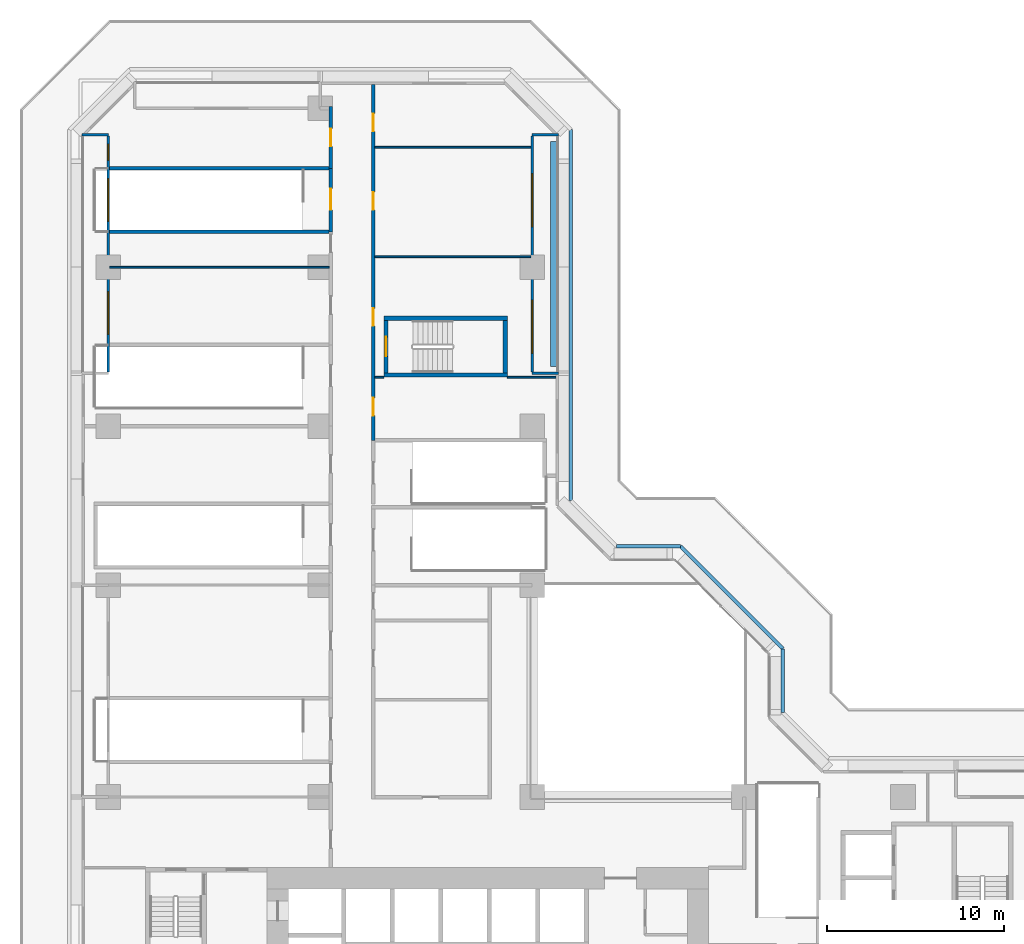
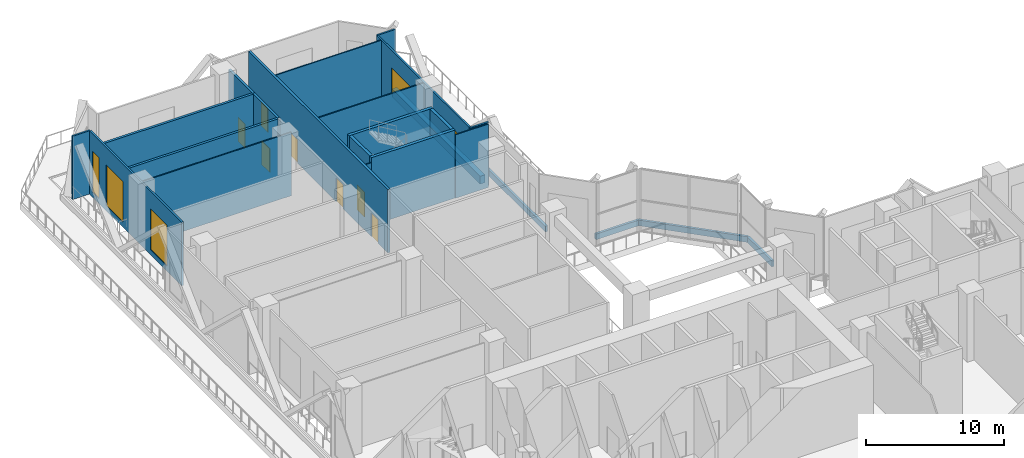
# One storey, part 8 of 16: 24 walls, 7 doors, 5 windows, 12 openings.
"""IFC4 building model written with IfcOpenShell, lengths in metres."""

from ifc_helpers import new_model, si_unit, direction, frame, frame_2d, origin, place, context, subcontext, project, spatial, rectangle, extrude, material, layer, layer_set, type_object, element, fill, save


model = new_model("IFC4")

# Units and contexts
model_context = context("Model", 3, precision=1e-05, world=origin(), true_north=direction((0.0, 1.0)))
body_context = subcontext(model_context, "Body", "Model", "MODEL_VIEW")
ifc_project = project(units=[si_unit("LENGTHUNIT", "METRE"), si_unit("AREAUNIT", "SQUARE_METRE"), si_unit("VOLUMEUNIT", "CUBIC_METRE"), si_unit("PLANEANGLEUNIT", "RADIAN"), si_unit("MASSUNIT", "GRAM", prefix="KILO")], contexts=[model_context])

# Site, building, storey
site_placement = place(None, origin())
site = spatial("IfcSite", under=ifc_project, at=site_placement, CompositionType="ELEMENT")
building_placement = place(site_placement, origin())
building = spatial("IfcBuilding", under=site, at=building_placement, Name="Chenar Terraces", CompositionType="ELEMENT")
storey_placement = place(building_placement, frame((0.0, 0.0, 35.39990234375)))
storey = spatial("IfcBuildingStorey", under=building, at=storey_placement, Name="L06", CompositionType="ELEMENT", Elevation=35.39990234375)

# Walls
ifc_material_1 = material(Name="Concrete C70/85", Category="concrete")
ifc_layer_1 = layer(ifc_material_1, 0.25)
ifc_layer_set_1 = layer_set([ifc_layer_1], Name="Concrete C70/85")
wall_type_1 = type_object("IfcWallType", Name="Core wall 250 Concrete C70/85", PredefinedType="SHEAR", material=ifc_layer_set_1)
for number, where, z_axis, x_axis, name in (
    (1, (15.60009765625, 47.89990234375, 0.0), (0.0, 0.0, 1.0), (1.0, 0.0, 0.0), "Core wall ST4_S L06"),
    (2, (15.60009765625, 51.10009765625, 0.0), (0.0, 0.0, 1.0), (1.0, 0.0, 0.0), "Core wall ST4_N L06"),
):
    element("IfcWall", number, at=place(storey_placement, frame(where, z_axis=z_axis, x_axis=x_axis)), inside=storey, type_object=wall_type_1, Name=name, PredefinedType="SHEAR", context=body_context, shape_type="SweptSolid", body=[
        extrude(rectangle(XDim=7.0, YDim=0.25, at=frame_2d((3.5, 0.0))), origin(), (0.0, 0.0, 1.0), 6.0),
    ])

# Wall, opening, door
wall_1_placement = place(storey_placement, frame((15.72509765625, 48.02490234375, 0.0), z_axis=(0.0, 0.0, 1.0), x_axis=(0.0, 1.0, 0.0)))
wall_1 = element("IfcWall", 3, at=wall_1_placement, inside=storey, type_object=wall_type_1, Name="Core wall ST4_W L06", PredefinedType="SHEAR", context=body_context, shape_type="SweptSolid", body=[
    extrude(rectangle(XDim=2.9501953125, YDim=0.25, at=frame_2d((1.47509765625, 0.0))), origin(), (0.0, 0.0, 1.0), 6.0),
])
opening_1_placement = place(wall_1_placement, frame((0.925048828125, 0.0, 0.0)))
opening_1 = element("IfcOpeningElement", 4, at=opening_1_placement, cuts=wall_1, Name="Opening DL06-C9", PredefinedType="OPENING", context=body_context, shape_type="SweptSolid", body=[
    extrude(rectangle(XDim=1.10009765625, YDim=2.199951171875, at=frame_2d((0.550048828125, 1.10009765625))), frame((0.0, 0.135009765625, 0.0), z_axis=(0.0, -1.0, 0.0), x_axis=(1.0, 0.0, 0.0)), (0.0, 0.0, 1.0), 0.27001953125),
])
ifc_material_2 = material(Name="Steel-framed fire-resisting door leaf", Category="steel")
door_type_1 = type_object("IfcDoorType", Name="Stair fire door FD60 1100 x 2200", OperationType="SINGLE_SWING_LEFT", PredefinedType="DOOR", material=ifc_material_2)
door_1_placement = place(opening_1_placement, frame((1.10009765625, 0.0, 0.0), z_axis=(0.0, 0.0, 1.0), x_axis=(-1.0, 0.0, 0.0)))
door_1 = element("IfcDoor", 5, at=door_1_placement, inside=storey, type_object=door_type_1, Name="Stair door DL06-C9", OperationType="SINGLE_SWING_RIGHT", OverallHeight=2.199951171875, OverallWidth=1.10009765625, PredefinedType="DOOR", context=body_context, shape_type="SweptSolid", body=[
    extrude(rectangle(XDim=1.10009765625, YDim=2.199951171875, at=frame_2d((0.550048828125, 1.10009765625))), frame((0.0, 0.02490234375, 0.0), z_axis=(0.0, -1.0, 0.0), x_axis=(1.0, 0.0, 0.0)), (0.0, 0.0, 1.0), 0.050048828125),
])
fill(opening_1, door_1)

# Wall
wall_2_placement = place(storey_placement, frame((22.47509765625, 48.02490234375, 0.0), z_axis=(0.0, 0.0, 1.0), x_axis=(0.0, 1.0, 0.0)))
element("IfcWall", 6, at=wall_2_placement, inside=storey, type_object=wall_type_1, Name="Core wall ST4_E L06", PredefinedType="SHEAR", context=body_context, shape_type="SweptSolid", body=[
    extrude(rectangle(XDim=2.9501953125, YDim=0.25, at=frame_2d((1.47509765625, 0.0))), origin(), (0.0, 0.0, 1.0), 6.0),
])

# Wall, opening, door
ifc_material_3 = material(Name="Gypsum board on steel studs with fire boards", Category="steel")
ifc_layer_2 = layer(ifc_material_3, 0.199951171875)
ifc_layer_set_2 = layer_set([ifc_layer_2], Name="Gypsum board on steel studs with fire boards")
wall_type_2 = type_object("IfcWallType", Name="Corridor wall 200", PredefinedType="PARTITIONING", material=ifc_layer_set_2)
wall_3_placement = place(storey_placement, frame((12.60009765625, 59.60009765625, 0.0), z_axis=(0.0, 0.0, 1.0), x_axis=(0.0, 1.0, 0.0)))
wall_3 = element("IfcWall", 7, at=wall_3_placement, inside=storey, type_object=wall_type_2, Name="Partition L06-023", PredefinedType="PARTITIONING", context=body_context, shape_type="SweptSolid", body=[
    extrude(rectangle(XDim=3.5, YDim=0.199951171875, at=frame_2d((1.75, 0.0))), origin(), (0.0, 0.0, 1.0), 5.60009765625),
])
opening_2_placement = place(wall_3_placement, frame((1.25, 0.0, 0.0)))
opening_2 = element("IfcOpeningElement", 8, at=opening_2_placement, cuts=wall_3, Name="Opening DL06-21", PredefinedType="OPENING", context=body_context, shape_type="SweptSolid", body=[
    extrude(rectangle(XDim=1.0, YDim=2.10009765625, at=frame_2d((0.5, 1.050048828125))), frame((0.0, 0.10986328125, 0.0), z_axis=(0.0, -1.0, 0.0), x_axis=(1.0, 0.0, 0.0)), (0.0, 0.0, 1.0), 0.219970703125),
])
ifc_material_4 = material(Name="Steel-framed fire-resisting door leaf", Category="steel")
door_type_2 = type_object("IfcDoorType", Name="Fire door FD60 1000 x 2100", OperationType="SINGLE_SWING_LEFT", PredefinedType="DOOR", material=ifc_material_4)
door_2_placement = place(opening_2_placement, origin())
door_2 = element("IfcDoor", 9, at=door_2_placement, inside=storey, type_object=door_type_2, Name="Door DL06-21", OperationType="SINGLE_SWING_RIGHT", OverallHeight=2.10009765625, OverallWidth=1.0, PredefinedType="DOOR", context=body_context, shape_type="SweptSolid", body=[
    extrude(rectangle(XDim=1.0, YDim=2.10009765625, at=frame_2d((0.5, 1.050048828125))), frame((0.0, 0.02490234375, 0.0), z_axis=(0.0, -1.0, 0.0), x_axis=(1.0, 0.0, 0.0)), (0.0, 0.0, 1.0), 0.050048828125),
])
fill(opening_2, door_2)

# Wall, openings, doors
wall_4_placement = place(storey_placement, frame((15.0, 44.199951171875, 0.0), z_axis=(0.0, 0.0, 1.0), x_axis=(0.0, 1.0, 0.0)))
wall_4 = element("IfcWall", 10, at=wall_4_placement, inside=storey, type_object=wall_type_2, Name="Partition L06-028", PredefinedType="PARTITIONING", context=body_context, shape_type="SweptSolid", body=[
    extrude(rectangle(XDim=20.151123046875, YDim=0.199951171875, at=frame_2d((10.07568359375, 0.0))), origin(), (0.0, 0.0, 1.0), 5.60009765625),
])
opening_3_placement = place(wall_4_placement, frame((1.39990234375, 0.0, 0.0)))
opening_3 = element("IfcOpeningElement", 11, at=opening_3_placement, cuts=wall_4, Name="Opening DL06-12", PredefinedType="OPENING", context=body_context, shape_type="SweptSolid", body=[
    extrude(rectangle(XDim=1.0, YDim=2.10009765625, at=frame_2d((0.5, 1.050048828125))), frame((0.0, 0.10986328125, 0.0), z_axis=(0.0, -1.0, 0.0), x_axis=(1.0, 0.0, 0.0)), (0.0, 0.0, 1.0), 0.219970703125),
])
opening_4_placement = place(wall_4_placement, frame((6.47509765625, 0.0, 0.0)))
opening_4 = element("IfcOpeningElement", 12, at=opening_4_placement, cuts=wall_4, Name="Opening DL06-13", PredefinedType="OPENING", context=body_context, shape_type="SweptSolid", body=[
    extrude(rectangle(XDim=1.0, YDim=2.10009765625, at=frame_2d((0.5, 1.050048828125))), frame((0.0, 0.10986328125, 0.0), z_axis=(0.0, -1.0, 0.0), x_axis=(1.0, 0.0, 0.0)), (0.0, 0.0, 1.0), 0.219970703125),
])
opening_5_placement = place(wall_4_placement, frame((13.050048828125, 0.0, 0.0)))
opening_5 = element("IfcOpeningElement", 13, at=opening_5_placement, cuts=wall_4, Name="Opening DL06-14", PredefinedType="OPENING", context=body_context, shape_type="SweptSolid", body=[
    extrude(rectangle(XDim=1.0, YDim=2.10009765625, at=frame_2d((0.5, 1.050048828125))), frame((0.0, 0.10986328125, 0.0), z_axis=(0.0, -1.0, 0.0), x_axis=(1.0, 0.0, 0.0)), (0.0, 0.0, 1.0), 0.219970703125),
])
opening_6_placement = place(wall_4_placement, frame((17.5, 0.0, 0.0)))
opening_6 = element("IfcOpeningElement", 14, at=opening_6_placement, cuts=wall_4, Name="Opening DL06-15", PredefinedType="OPENING", context=body_context, shape_type="SweptSolid", body=[
    extrude(rectangle(XDim=1.0, YDim=2.10009765625, at=frame_2d((0.5, 1.050048828125))), frame((0.0, 0.10986328125, 0.0), z_axis=(0.0, -1.0, 0.0), x_axis=(1.0, 0.0, 0.0)), (0.0, 0.0, 1.0), 0.219970703125),
])
door_3_placement = place(opening_3_placement, frame((1.0, 0.0, 0.0), z_axis=(0.0, 0.0, 1.0), x_axis=(-1.0, 0.0, 0.0)))
door_3 = element("IfcDoor", 15, at=door_3_placement, inside=storey, type_object=door_type_2, Name="Door DL06-12", OperationType="SINGLE_SWING_LEFT", OverallHeight=2.10009765625, OverallWidth=1.0, PredefinedType="DOOR", context=body_context, shape_type="SweptSolid", body=[
    extrude(rectangle(XDim=1.0, YDim=2.10009765625, at=frame_2d((0.5, 1.050048828125))), frame((0.0, 0.02490234375, 0.0), z_axis=(0.0, -1.0, 0.0), x_axis=(1.0, 0.0, 0.0)), (0.0, 0.0, 1.0), 0.050048828125),
])
fill(opening_3, door_3)
door_4_placement = place(opening_4_placement, origin())
door_4 = element("IfcDoor", 16, at=door_4_placement, inside=storey, type_object=door_type_2, Name="Door DL06-13", OperationType="SINGLE_SWING_LEFT", OverallHeight=2.10009765625, OverallWidth=1.0, PredefinedType="DOOR", context=body_context, shape_type="SweptSolid", body=[
    extrude(rectangle(XDim=1.0, YDim=2.10009765625, at=frame_2d((0.5, 1.050048828125))), frame((0.0, 0.02490234375, 0.0), z_axis=(0.0, -1.0, 0.0), x_axis=(1.0, 0.0, 0.0)), (0.0, 0.0, 1.0), 0.050048828125),
])
fill(opening_4, door_4)
door_5_placement = place(opening_5_placement, frame((1.0, 0.0, 0.0), z_axis=(0.0, 0.0, 1.0), x_axis=(-1.0, 0.0, 0.0)))
door_5 = element("IfcDoor", 17, at=door_5_placement, inside=storey, type_object=door_type_2, Name="Door DL06-14", OperationType="SINGLE_SWING_LEFT", OverallHeight=2.10009765625, OverallWidth=1.0, PredefinedType="DOOR", context=body_context, shape_type="SweptSolid", body=[
    extrude(rectangle(XDim=1.0, YDim=2.10009765625, at=frame_2d((0.5, 1.050048828125))), frame((0.0, 0.02490234375, 0.0), z_axis=(0.0, -1.0, 0.0), x_axis=(1.0, 0.0, 0.0)), (0.0, 0.0, 1.0), 0.050048828125),
])
fill(opening_5, door_5)
door_6_placement = place(opening_6_placement, frame((1.0, 0.0, 0.0), z_axis=(0.0, 0.0, 1.0), x_axis=(-1.0, 0.0, 0.0)))
door_6 = element("IfcDoor", 18, at=door_6_placement, inside=storey, type_object=door_type_2, Name="Door DL06-15", OperationType="SINGLE_SWING_RIGHT", OverallHeight=2.10009765625, OverallWidth=1.0, PredefinedType="DOOR", context=body_context, shape_type="SweptSolid", body=[
    extrude(rectangle(XDim=1.0, YDim=2.10009765625, at=frame_2d((0.5, 1.050048828125))), frame((0.0, 0.02490234375, 0.0), z_axis=(0.0, -1.0, 0.0), x_axis=(1.0, 0.0, 0.0)), (0.0, 0.0, 1.0), 0.050048828125),
])
fill(opening_6, door_6)

# Wall, openings, windows
ifc_material_5 = material(Name="Aluminium framed glazing", Category="aluminium")
ifc_layer_3 = layer(ifc_material_5, 0.14990234375)
ifc_layer_set_3 = layer_set([ifc_layer_3], Name="Aluminium framed glazing")
wall_type_3 = type_object("IfcWallType", Name="Glazed loggia back wall 150", PredefinedType="SOLIDWALL", material=ifc_layer_set_3)
wall_5_placement = place(storey_placement, frame((24.0, 48.074951171875, 0.0), z_axis=(0.0, 0.0, 1.0), x_axis=(0.0, 1.0, 0.0)))
wall_5 = element("IfcWall", 19, at=wall_5_placement, inside=storey, type_object=wall_type_3, Name="Glazed loggia back wall", PredefinedType="SOLIDWALL", context=body_context, shape_type="SweptSolid", body=[
    extrude(rectangle(XDim=13.35009765625, YDim=0.14990234375, at=frame_2d((6.675048828125, 0.0))), origin(), (0.0, 0.0, 1.0), 5.60009765625),
])
opening_7_placement = place(wall_5_placement, frame((1.0625, 0.0, 0.449951171875)))
opening_7 = element("IfcOpeningElement", 20, at=opening_7_placement, cuts=wall_5, Name="Opening W300x360", PredefinedType="OPENING", context=body_context, shape_type="SweptSolid", body=[
    extrude(rectangle(XDim=3.0, YDim=3.60009765625, at=frame_2d((1.5, 1.800048828125))), frame((0.0, 0.0849609375, 0.0), z_axis=(0.0, -1.0, 0.0), x_axis=(1.0, 0.0, 0.0)), (0.0, 0.0, 1.0), 0.169921875),
])
opening_8_placement = place(wall_5_placement, frame((8.22509765625, 0.0, 0.449951171875)))
opening_8 = element("IfcOpeningElement", 21, at=opening_8_placement, cuts=wall_5, Name="Opening W300x360", PredefinedType="OPENING", context=body_context, shape_type="SweptSolid", body=[
    extrude(rectangle(XDim=3.0, YDim=3.60009765625, at=frame_2d((1.5, 1.800048828125))), frame((0.0, 0.0849609375, 0.0), z_axis=(0.0, -1.0, 0.0), x_axis=(1.0, 0.0, 0.0)), (0.0, 0.0, 1.0), 0.169921875),
])
ifc_material_6 = material(Name="Low emissivity double glazing, aluminium frame", Category="aluminium")
window_type_1 = type_object("IfcWindowType", Name="Fixed light 3000 x 3600", PartitioningType="SINGLE_PANEL", PredefinedType="WINDOW", material=ifc_material_6)
window_1_placement = place(opening_7_placement, origin())
window_1 = element("IfcWindow", 22, at=window_1_placement, inside=storey, type_object=window_type_1, Name="Window", OverallHeight=3.60009765625, OverallWidth=3.0, PartitioningType="SINGLE_PANEL", PredefinedType="WINDOW", context=body_context, shape_type="SweptSolid", body=[
    extrude(rectangle(XDim=3.0, YDim=3.60009765625, at=frame_2d((1.5, 1.800048828125))), frame((0.0, 0.030029296875, 0.0), z_axis=(0.0, -1.0, 0.0), x_axis=(1.0, 0.0, 0.0)), (0.0, 0.0, 1.0), 0.06005859375),
])
fill(opening_7, window_1)
window_2_placement = place(opening_8_placement, origin())
window_2 = element("IfcWindow", 23, at=window_2_placement, inside=storey, type_object=window_type_1, Name="Window", OverallHeight=3.60009765625, OverallWidth=3.0, PartitioningType="SINGLE_PANEL", PredefinedType="WINDOW", context=body_context, shape_type="SweptSolid", body=[
    extrude(rectangle(XDim=3.0, YDim=3.60009765625, at=frame_2d((1.5, 1.800048828125))), frame((0.0, 0.030029296875, 0.0), z_axis=(0.0, -1.0, 0.0), x_axis=(1.0, 0.0, 0.0)), (0.0, 0.0, 1.0), 0.06005859375),
])
fill(opening_8, window_2)

wall_6_placement = place(storey_placement, frame((0.0, 61.425048828125, 0.0), z_axis=(0.0, 0.0, 1.0), x_axis=(0.0, -1.0, 0.0)))
wall_6 = element("IfcWall", 24, at=wall_6_placement, inside=storey, type_object=wall_type_3, Name="Glazed loggia back wall", PredefinedType="SOLIDWALL", context=body_context, shape_type="SweptSolid", body=[
    extrude(rectangle(XDim=13.35009765625, YDim=0.14990234375, at=frame_2d((6.675048828125, 0.0))), origin(), (0.0, 0.0, 1.0), 5.60009765625),
])
opening_9_placement = place(wall_6_placement, frame((0.46240234375, 0.0, 0.449951171875)))
opening_9 = element("IfcOpeningElement", 25, at=opening_9_placement, cuts=wall_6, Name="Opening W90x360", PredefinedType="OPENING", context=body_context, shape_type="SweptSolid", body=[
    extrude(rectangle(XDim=0.89990234375, YDim=3.60009765625, at=frame_2d((0.449951171875, 1.800048828125))), frame((0.0, 0.0849609375, 0.0), z_axis=(0.0, -1.0, 0.0), x_axis=(1.0, 0.0, 0.0)), (0.0, 0.0, 1.0), 0.169921875),
])
opening_10_placement = place(wall_6_placement, frame((2.425048828125, 0.0, 0.449951171875)))
opening_10 = element("IfcOpeningElement", 26, at=opening_10_placement, cuts=wall_6, Name="Opening W240x360", PredefinedType="OPENING", context=body_context, shape_type="SweptSolid", body=[
    extrude(rectangle(XDim=2.39990234375, YDim=3.60009765625, at=frame_2d((1.199951171875, 1.800048828125))), frame((0.0, 0.0849609375, 0.0), z_axis=(0.0, -1.0, 0.0), x_axis=(1.0, 0.0, 0.0)), (0.0, 0.0, 1.0), 0.169921875),
])
opening_11_placement = place(wall_6_placement, frame((8.824951171875, 0.0, 0.449951171875)))
opening_11 = element("IfcOpeningElement", 27, at=opening_11_placement, cuts=wall_6, Name="Opening W240x360", PredefinedType="OPENING", context=body_context, shape_type="SweptSolid", body=[
    extrude(rectangle(XDim=2.39990234375, YDim=3.60009765625, at=frame_2d((1.199951171875, 1.800048828125))), frame((0.0, 0.0849609375, 0.0), z_axis=(0.0, -1.0, 0.0), x_axis=(1.0, 0.0, 0.0)), (0.0, 0.0, 1.0), 0.169921875),
])
ifc_material_7 = material(Name="Low emissivity double glazing, aluminium frame", Category="aluminium")
window_type_2 = type_object("IfcWindowType", Name="Fixed light 2400 x 3600", PartitioningType="SINGLE_PANEL", PredefinedType="WINDOW", material=ifc_material_7)
window_3_placement = place(opening_10_placement, origin())
window_3 = element("IfcWindow", 28, at=window_3_placement, inside=storey, type_object=window_type_2, Name="Window", OverallHeight=3.60009765625, OverallWidth=2.39990234375, PartitioningType="SINGLE_PANEL", PredefinedType="WINDOW", context=body_context, shape_type="SweptSolid", body=[
    extrude(rectangle(XDim=2.39990234375, YDim=3.60009765625, at=frame_2d((1.199951171875, 1.800048828125))), frame((0.0, 0.030029296875, 0.0), z_axis=(0.0, -1.0, 0.0), x_axis=(1.0, 0.0, 0.0)), (0.0, 0.0, 1.0), 0.06005859375),
])
fill(opening_10, window_3)
window_4_placement = place(opening_11_placement, origin())
window_4 = element("IfcWindow", 29, at=window_4_placement, inside=storey, type_object=window_type_2, Name="Window", OverallHeight=3.60009765625, OverallWidth=2.39990234375, PartitioningType="SINGLE_PANEL", PredefinedType="WINDOW", context=body_context, shape_type="SweptSolid", body=[
    extrude(rectangle(XDim=2.39990234375, YDim=3.60009765625, at=frame_2d((1.199951171875, 1.800048828125))), frame((0.0, 0.030029296875, 0.0), z_axis=(0.0, -1.0, 0.0), x_axis=(1.0, 0.0, 0.0)), (0.0, 0.0, 1.0), 0.06005859375),
])
fill(opening_11, window_4)
ifc_material_8 = material(Name="Low emissivity double glazing, aluminium frame", Category="aluminium")
window_type_3 = type_object("IfcWindowType", Name="Fixed light 900 x 3600", PartitioningType="SINGLE_PANEL", PredefinedType="WINDOW", material=ifc_material_8)
window_5_placement = place(opening_9_placement, origin())
window_5 = element("IfcWindow", 30, at=window_5_placement, inside=storey, type_object=window_type_3, Name="Window", OverallHeight=3.60009765625, OverallWidth=0.89990234375, PartitioningType="SINGLE_PANEL", PredefinedType="WINDOW", context=body_context, shape_type="SweptSolid", body=[
    extrude(rectangle(XDim=0.89990234375, YDim=3.60009765625, at=frame_2d((0.449951171875, 1.800048828125))), frame((0.0, 0.030029296875, 0.0), z_axis=(0.0, -1.0, 0.0), x_axis=(1.0, 0.0, 0.0)), (0.0, 0.0, 1.0), 0.06005859375),
])
fill(opening_9, window_5)

# Walls
ifc_material_9 = material(Name="Gypsum board on steel studs", Category="steel")
ifc_layer_4 = layer(ifc_material_9, 0.10009765625)
ifc_layer_set_4 = layer_set([ifc_layer_4], Name="Gypsum board on steel studs")
wall_type_4 = type_object("IfcWallType", Name="Gypsum partition 100", PredefinedType="PARTITIONING", material=ifc_layer_set_4)
wall_7_placement = place(storey_placement, frame((0.073974609375, 54.0, 0.0), z_axis=(0.0, 0.0, 1.0), x_axis=(1.0, 0.0, 0.0)))
element("IfcWall", 31, at=wall_7_placement, inside=storey, type_object=wall_type_4, Name="Partition L06-011", PredefinedType="PARTITIONING", context=body_context, shape_type="SweptSolid", body=[
    extrude(rectangle(XDim=12.426025390625, YDim=0.10009765625, at=frame_2d((6.212890625, 0.0))), origin(), (0.0, 0.0, 1.0), 5.60009765625),
])
wall_8_placement = place(storey_placement, frame((15.10009765625, 47.77490234375, 0.0), z_axis=(0.0, 0.0, 1.0), x_axis=(1.0, 0.0, 0.0)))
element("IfcWall", 32, at=wall_8_placement, inside=storey, type_object=wall_type_4, Name="Partition L06-034", PredefinedType="PARTITIONING", context=body_context, shape_type="SweptSolid", body=[
    extrude(rectangle(XDim=0.5, YDim=0.10009765625, at=frame_2d((0.25, 0.0))), origin(), (0.0, 0.0, 1.0), 5.60009765625),
])
for number, where, z_axis, x_axis, name in (
    (33, (15.10009765625, 54.60009765625, 0.0), (0.0, 0.0, 1.0), (1.0, 0.0, 0.0), "Partition L06-035"),
    (34, (15.10009765625, 60.800048828125, 0.0), (0.0, 0.0, 1.0), (1.0, 0.0, 0.0), "Partition L06-036"),
):
    element("IfcWall", number, at=place(storey_placement, frame(where, z_axis=z_axis, x_axis=x_axis)), inside=storey, type_object=wall_type_4, Name=name, PredefinedType="PARTITIONING", context=body_context, shape_type="SweptSolid", body=[
        extrude(rectangle(XDim=8.825927734375, YDim=0.10009765625, at=frame_2d((4.4130859375, 0.0))), origin(), (0.0, 0.0, 1.0), 5.60009765625),
    ])
wall_9_placement = place(storey_placement, frame((22.60009765625, 47.77490234375, 0.0), z_axis=(0.0, 0.0, 1.0), x_axis=(1.0, 0.0, 0.0)))
element("IfcWall", 35, at=wall_9_placement, inside=storey, type_object=wall_type_4, Name="Partition L06-038", PredefinedType="PARTITIONING", context=body_context, shape_type="SweptSolid", body=[
    extrude(rectangle(XDim=2.7509765625, YDim=0.10009765625, at=frame_2d((1.37548828125, 0.0))), origin(), (0.0, 0.0, 1.0), 5.60009765625),
])
ifc_material_10 = material(Name="Terracotta cladding on insulated backing", Category="masonry")
ifc_layer_5 = layer(ifc_material_10, 0.14990234375)
ifc_layer_set_5 = layer_set([ifc_layer_5], Name="Terracotta cladding on insulated backing")
wall_type_5 = type_object("IfcWallType", Name="Loggia return wall 150", PredefinedType="SOLIDWALL", material=ifc_layer_set_5)
for number, where, z_axis, x_axis, name in (
    (36, (25.5, 48.0, 0.0), (0.0, 0.0, 1.0), (-1.0, 0.0, 0.0), "Loggia return wall"),
    (37, (25.5, 61.5, 0.0), (0.0, 0.0, 1.0), (-1.0, 0.0, 0.0), "Loggia return wall"),
    (38, (-1.5, 61.5, 0.0), (0.0, 0.0, 1.0), (1.0, 0.0, 0.0), "Loggia return wall"),
):
    element("IfcWall", number, at=place(storey_placement, frame(where, z_axis=z_axis, x_axis=x_axis)), inside=storey, type_object=wall_type_5, Name=name, PredefinedType="SOLIDWALL", context=body_context, shape_type="SweptSolid", body=[
        extrude(rectangle(XDim=1.5, YDim=0.14990234375, at=frame_2d((0.75, 0.0))), origin(), (0.0, 0.0, 1.0), 5.60009765625),
    ])
ifc_material_11 = material(Name="Reinforced concrete C40/50", Category="concrete")
ifc_layer_6 = layer(ifc_material_11, 0.199951171875)
ifc_layer_set_6 = layer_set([ifc_layer_6], Name="Reinforced concrete C40/50")
wall_type_6 = type_object("IfcWallType", Name="Stair enclosure wall 200 concrete", PredefinedType="SOLIDWALL", material=ifc_layer_set_6)
for number, where, z_axis, x_axis, name in (
    (39, (0.073974609375, 56.0, 0.0), (0.0, 0.0, 1.0), (1.0, 0.0, 0.0), "Stair enclosure wall L06-012"),
    (40, (0.073974609375, 59.60009765625, 0.0), (0.0, 0.0, 1.0), (1.0, 0.0, 0.0), "Stair enclosure wall L06-013"),
):
    element("IfcWall", number, at=place(storey_placement, frame(where, z_axis=z_axis, x_axis=x_axis)), inside=storey, type_object=wall_type_6, Name=name, PredefinedType="SOLIDWALL", context=body_context, shape_type="SweptSolid", body=[
        extrude(rectangle(XDim=12.426025390625, YDim=0.199951171875, at=frame_2d((6.212890625, 0.0))), origin(), (0.0, 0.0, 1.0), 5.60009765625),
    ])

# Wall, opening, door
wall_10_placement = place(storey_placement, frame((12.60009765625, 56.0, 0.0), z_axis=(0.0, 0.0, 1.0), x_axis=(0.0, 1.0, 0.0)))
wall_10 = element("IfcWall", 41, at=wall_10_placement, inside=storey, type_object=wall_type_6, Name="Stair enclosure wall L06-022", PredefinedType="SOLIDWALL", context=body_context, shape_type="SweptSolid", body=[
    extrude(rectangle(XDim=3.60009765625, YDim=0.199951171875, at=frame_2d((1.800048828125, 0.0))), origin(), (0.0, 0.0, 1.0), 5.60009765625),
])
opening_12_placement = place(wall_10_placement, frame((1.25, 0.0, 0.0)))
opening_12 = element("IfcOpeningElement", 42, at=opening_12_placement, cuts=wall_10, Name="Opening DL06-25", PredefinedType="OPENING", context=body_context, shape_type="SweptSolid", body=[
    extrude(rectangle(XDim=1.199951171875, YDim=2.10009765625, at=frame_2d((0.60009765625, 1.050048828125))), frame((0.0, 0.10986328125, 0.0), z_axis=(0.0, -1.0, 0.0), x_axis=(1.0, 0.0, 0.0)), (0.0, 0.0, 1.0), 0.219970703125),
])
ifc_material_12 = material(Name="Steel-framed fire-resisting door leaf", Category="steel")
door_type_3 = type_object("IfcDoorType", Name="Fire door FD120 1200 x 2100", OperationType="SINGLE_SWING_LEFT", PredefinedType="DOOR", material=ifc_material_12)
door_7_placement = place(opening_12_placement, origin())
door_7 = element("IfcDoor", 43, at=door_7_placement, inside=storey, type_object=door_type_3, Name="Door DL06-25", OperationType="SINGLE_SWING_RIGHT", OverallHeight=2.10009765625, OverallWidth=1.199951171875, PredefinedType="DOOR", context=body_context, shape_type="SweptSolid", body=[
    extrude(rectangle(XDim=1.199951171875, YDim=2.10009765625, at=frame_2d((0.60009765625, 1.050048828125))), frame((0.0, 0.02490234375, 0.0), z_axis=(0.0, -1.0, 0.0), x_axis=(1.0, 0.0, 0.0)), (0.0, 0.0, 1.0), 0.050048828125),
])
fill(opening_12, door_7)

# Walls
ifc_material_13 = material(Name="Terracotta cladding on insulated backing", Category="masonry")
ifc_layer_7 = layer(ifc_material_13, 0.199951171875)
ifc_layer_set_7 = layer_set([ifc_layer_7], Name="Terracotta cladding on insulated backing")
wall_type_7 = type_object("IfcWallType", Name="Terrace parapet upstand 200", PredefinedType="PARAPET", material=ifc_layer_set_7)
wall_11_placement = place(storey_placement, frame((26.199951171875, 61.7900390625, 0.0), z_axis=(0.0, 0.0, 1.0), x_axis=(0.0, -1.0, 0.0)))
element("IfcWall", 44, at=wall_11_placement, inside=storey, type_object=wall_type_7, Name="Terrace parapet", PredefinedType="PARAPET", context=body_context, shape_type="SweptSolid", body=[
    extrude(rectangle(XDim=21.0, YDim=0.199951171875, at=frame_2d((10.5, 0.0))), origin(), (0.0, 0.0, 1.0), 0.5),
])
wall_12_placement = place(storey_placement, frame((28.7900390625, 38.199951171875, 0.0), z_axis=(0.0, 0.0, 1.0), x_axis=(1.0, 0.0, 0.0)))
element("IfcWall", 45, at=wall_12_placement, inside=storey, type_object=wall_type_7, Name="Terrace parapet", PredefinedType="PARAPET", context=body_context, shape_type="SweptSolid", body=[
    extrude(rectangle(XDim=3.599853515625, YDim=0.199951171875, at=frame_2d((1.7998046875, 0.0))), origin(), (0.0, 0.0, 1.0), 0.5),
])
wall_13_placement = place(storey_placement, frame((32.389892578125, 38.199951171875, 0.0), z_axis=(0.0, 0.0, 1.0), x_axis=(0.707106781187, -0.707106781187, 0.0)))
element("IfcWall", 46, at=wall_13_placement, inside=storey, type_object=wall_type_7, Name="Terrace parapet", PredefinedType="PARAPET", context=body_context, shape_type="SweptSolid", body=[
    extrude(rectangle(XDim=8.216552734375, YDim=0.199951171875, at=frame_2d((4.1083984375, 0.0))), origin(), (0.0, 0.0, 1.0), 0.5),
])
wall_14_placement = place(storey_placement, frame((38.199951171875, 32.389892578125, 0.0), z_axis=(0.0, 0.0, 1.0), x_axis=(0.0, -1.0, 0.0)))
element("IfcWall", 47, at=wall_14_placement, inside=storey, type_object=wall_type_7, Name="Terrace parapet", PredefinedType="PARAPET", context=body_context, shape_type="SweptSolid", body=[
    extrude(rectangle(XDim=3.599853515625, YDim=0.199951171875, at=frame_2d((1.7998046875, 0.0))), origin(), (0.0, 0.0, 1.0), 0.5),
])
ifc_material_14 = material(Name="GRP planter trough")
ifc_layer_8 = layer(ifc_material_14, 0.39990234375)
ifc_layer_set_8 = layer_set([ifc_layer_8], Name="GRP planter trough")
wall_type_8 = type_object("IfcWallType", Name="Vertical greenery planter 400", PredefinedType="SOLIDWALL", material=ifc_layer_set_8)
wall_15_placement = place(storey_placement, frame((25.22900390625, 48.375, 0.0), z_axis=(0.0, 0.0, 1.0), x_axis=(0.0, 1.0, 0.0)))
element("IfcWall", 48, at=wall_15_placement, inside=storey, type_object=wall_type_8, Name="Vertical greenery planter", PredefinedType="SOLIDWALL", context=body_context, shape_type="SweptSolid", body=[
    extrude(rectangle(XDim=12.75, YDim=0.39990234375, at=frame_2d((6.375, 0.0))), origin(), (0.0, 0.0, 1.0), 0.7001953125),
])

save(model, "model.ifc")
